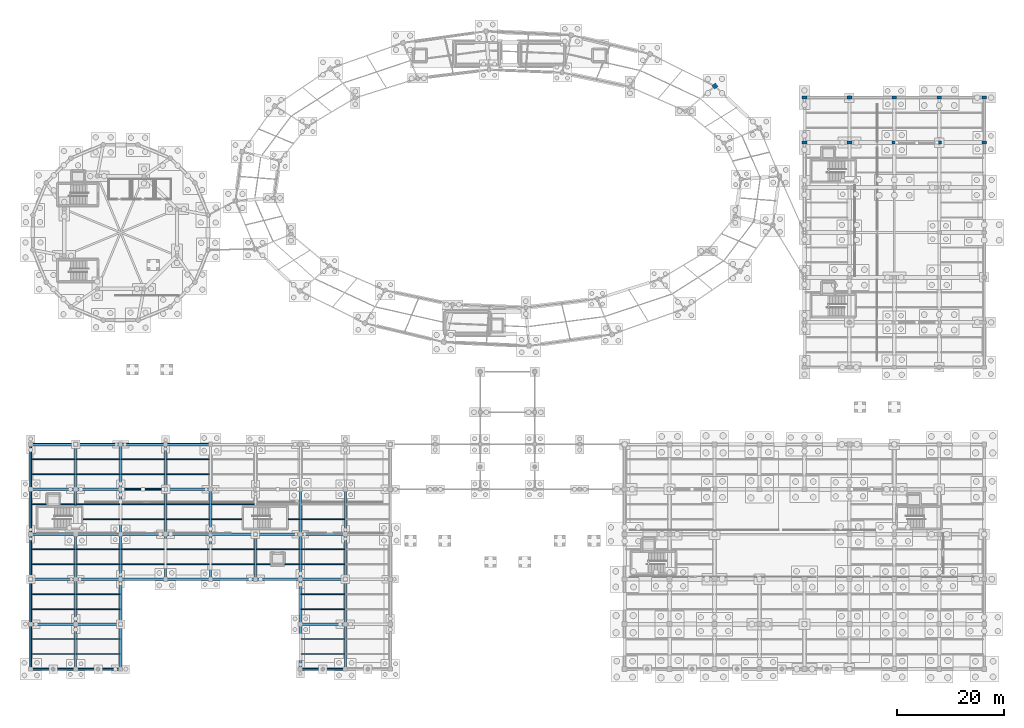
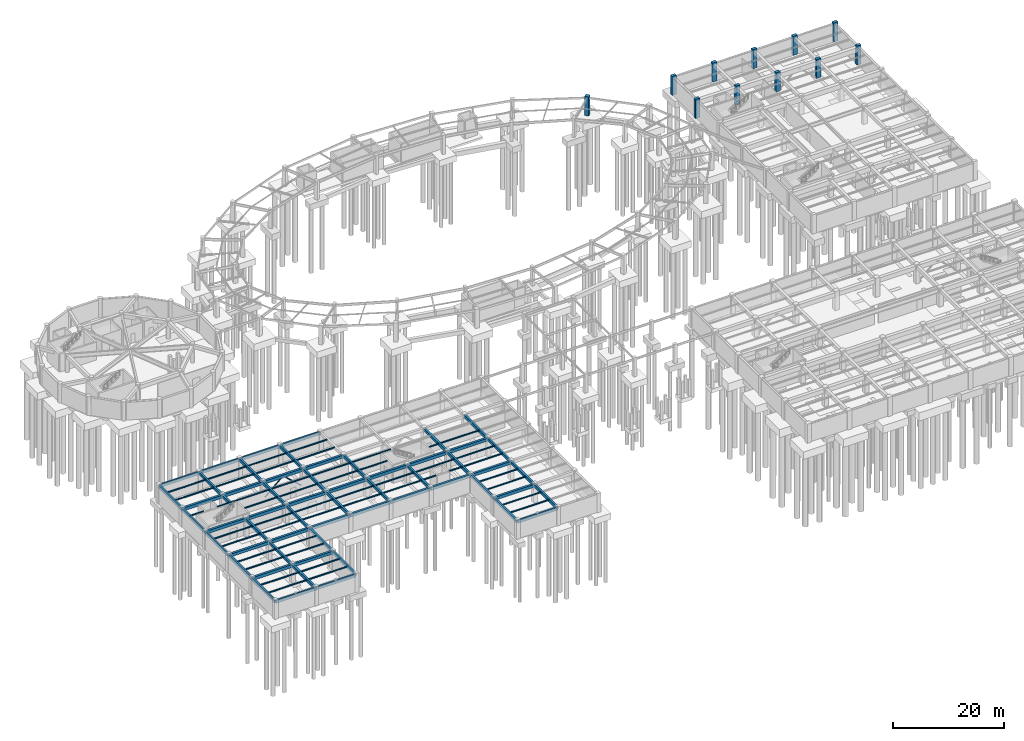
# One storey, part 15 of 38: 104 beams, 11 columns, 2 members.
"""IFC4 building model written with IfcOpenShell, lengths in metres."""

from ifc_helpers import new_model, si_unit, direction, frame, origin, origin_2d, place, context, subcontext, project, spatial, rectangle, hollow_circle, i_section, extrude, material, material_profile, profile_set, type_object, element, save


model = new_model("IFC4")

# Units and contexts
model_context = context("Model", 3, precision=1e-05, world=origin(), true_north=direction((0.0, 1.0)))
body_context = subcontext(model_context, "Body", "Model", "MODEL_VIEW")
ifc_project = project(units=[si_unit("LENGTHUNIT", "METRE"), si_unit("AREAUNIT", "SQUARE_METRE"), si_unit("VOLUMEUNIT", "CUBIC_METRE"), si_unit("PLANEANGLEUNIT", "RADIAN"), si_unit("MASSUNIT", "GRAM", prefix="KILO"), si_unit("THERMODYNAMICTEMPERATUREUNIT", "KELVIN"), si_unit("POWERUNIT", "WATT")], contexts=[model_context])

# Site, building, storey
site_placement = place(None, origin())
site = spatial("IfcSite", under=ifc_project, at=site_placement, CompositionType="ELEMENT")
building_placement = place(site_placement, origin())
building = spatial("IfcBuilding", under=site, at=building_placement, Name="Darbajah Civic Hall", CompositionType="ELEMENT")
storey_placement = place(building_placement, frame((0.0, 0.0, -4.199951171875)))
storey = spatial("IfcBuildingStorey", under=building, at=storey_placement, Name="B01", CompositionType="ELEMENT", Elevation=-4.199951171875)

# Columns
ifc_material_1 = material(Name="Concrete C50/60", Category="concrete")
ifc_material_profile_1 = material_profile(ifc_material_1, rectangle(XDim=0.800048828125, YDim=0.800048828125, at=origin_2d()), Name="RC COL 800x800")
ifc_profile_set_1 = profile_set([ifc_material_profile_1], Name="Concrete C50/60")
column_type_1 = type_object("IfcColumnType", Name="RC COL 800x800", PredefinedType="COLUMN", material=ifc_profile_set_1)
column_placement = place(storey_placement, frame((127.880615234375, 108.958740234375, 0.0), z_axis=(0.0, 0.0, 1.0), x_axis=(0.7604059656, 0.64944804833, 0.0)))
element("IfcColumn", 1, at=column_placement, inside=storey, type_object=column_type_1, Name="B01 column C-RC800", PredefinedType="COLUMN", context=body_context, shape_type="SweptSolid", body=[
    extrude(rectangle(XDim=0.800048828125, YDim=0.800048828125, at=origin_2d()), origin(), (0.0, 0.0, 1.0), 4.199951171875),
])
ifc_material_profile_2 = material_profile(ifc_material_1, rectangle(XDim=0.89990234375, YDim=0.60009765625, at=origin_2d()), Name="RC COL 900x600")
ifc_profile_set_2 = profile_set([ifc_material_profile_2], Name="Concrete C50/60")
column_type_2 = type_object("IfcColumnType", Name="RC COL 900x600", PredefinedType="COLUMN", material=ifc_profile_set_2)
for number, where, z_axis, x_axis, name in (
    (2, (144.60009765625, 98.39990234375, 0.0), (0.0, 0.0, 1.0), (1.0, 0.0, 0.0), "B01 column C-RC906"),
    (3, (144.60009765625, 106.800048828125, 0.0), (0.0, 0.0, 1.0), (1.0, 0.0, 0.0), "B01 column C-RC906"),
    (4, (153.0, 98.39990234375, 0.0), (0.0, 0.0, 1.0), (1.0, 0.0, 0.0), "B01 column C-RC906"),
    (5, (153.0, 106.800048828125, 0.0), (0.0, 0.0, 1.0), (1.0, 0.0, 0.0), "B01 column C-RC906"),
    (6, (161.39990234375, 98.39990234375, 0.0), (0.0, 0.0, 1.0), (1.0, 0.0, 0.0), "B01 column C-RC906"),
    (7, (161.39990234375, 106.800048828125, 0.0), (0.0, 0.0, 1.0), (1.0, 0.0, 0.0), "B01 column C-RC906"),
    (8, (169.800048828125, 98.39990234375, 0.0), (0.0, 0.0, 1.0), (1.0, 0.0, 0.0), "B01 column C-RC906"),
    (9, (169.800048828125, 106.800048828125, 0.0), (0.0, 0.0, 1.0), (1.0, 0.0, 0.0), "B01 column C-RC906"),
    (10, (178.199951171875, 98.39990234375, 0.0), (0.0, 0.0, 1.0), (1.0, 0.0, 0.0), "B01 column C-RC906"),
    (11, (178.199951171875, 106.800048828125, 0.0), (0.0, 0.0, 1.0), (1.0, 0.0, 0.0), "B01 column C-RC906"),
):
    element("IfcColumn", number, at=place(storey_placement, frame(where, z_axis=z_axis, x_axis=x_axis)), inside=storey, type_object=column_type_2, Name=name, PredefinedType="COLUMN", context=body_context, shape_type="SweptSolid", body=[
        extrude(rectangle(XDim=0.89990234375, YDim=0.60009765625, at=origin_2d()), origin(), (0.0, 0.0, 1.0), 4.199951171875),
    ])

# Members
ifc_material_2 = material(Name="Steel S355JR", Category="steel")
ifc_material_profile_3 = material_profile(ifc_material_2, hollow_circle(Radius=0.109619140625, WallThickness=0.0087890625, at=origin_2d()), Name="CHS 219.1x8.8")
ifc_profile_set_3 = profile_set([ifc_material_profile_3], Name="Steel S355JR")
member_type = type_object("IfcMemberType", Name="CHS 219.1x8.8", PredefinedType="BRACE", material=ifc_profile_set_3)
for number, where, z_axis, x_axis, name in (
    (12, (17.25, 33.60009765625, 0.199951171875), (0.742277082557, 0.0, 0.670093077648), (0.0, 1.0, 0.0), "B01 lateral chevron brace BR-B01-3-L"),
    (13, (24.75, 33.60009765625, 0.199951171875), (-0.742277082557, 0.0, 0.670093077648), (0.0, -1.0, 0.0), "B01 lateral chevron brace BR-B01-3-R"),
):
    element("IfcMember", number, at=place(storey_placement, frame(where, z_axis=z_axis, x_axis=x_axis)), inside=storey, type_object=member_type, Name=name, PredefinedType="BRACE", context=body_context, shape_type="SweptSolid", body=[
        extrude(hollow_circle(Radius=0.109619140625, WallThickness=0.0087890625, at=origin_2d()), origin(), (0.0, 0.0, 1.0), 4.85009765625),
    ])

# Beams
ifc_material_3 = material(Name="Concrete C45/55", Category="concrete")
ifc_material_profile_4 = material_profile(ifc_material_3, rectangle(XDim=0.39990234375, YDim=0.60009765625, at=origin_2d()), Name="RC BEAM 400x600")
ifc_profile_set_4 = profile_set([ifc_material_profile_4], Name="Concrete C45/55")
beam_type_1 = type_object("IfcBeamType", Name="RC BEAM 400x600", PredefinedType="BEAM", material=ifc_profile_set_4)
for number, where, z_axis, x_axis, name in (
    (14, (8.39990234375, 0.080078125, 3.639892578125), (0.0, 1.0, 0.0), (-1.0, 0.0, 0.0), "B01 beam BM-4060"),
    (15, (8.39990234375, 8.47998046875, 3.639892578125), (0.0, 1.0, 0.0), (-1.0, 0.0, 0.0), "B01 beam BM-4060"),
):
    element("IfcBeam", number, at=place(storey_placement, frame(where, z_axis=z_axis, x_axis=x_axis)), inside=storey, type_object=beam_type_1, Name=name, PredefinedType="BEAM", context=body_context, shape_type="SweptSolid", body=[
        extrude(rectangle(XDim=0.39990234375, YDim=0.60009765625, at=origin_2d()), origin(), (0.0, 0.0, 1.0), 8.239990234375),
    ])
beam_1_placement = place(storey_placement, frame((8.39990234375, 16.8798828125, 3.639892578125), z_axis=(0.0, 1.0, 0.0), x_axis=(-1.0, 0.0, 0.0)))
element("IfcBeam", 16, at=beam_1_placement, inside=storey, type_object=beam_type_1, Name="B01 beam BM-4060", PredefinedType="BEAM", context=body_context, shape_type="SweptSolid", body=[
    extrude(rectangle(XDim=0.39990234375, YDim=0.60009765625, at=origin_2d()), origin(), (0.0, 0.0, 1.0), 8.240234375),
])
beam_2_placement = place(storey_placement, frame((8.39990234375, 30.5400390625, 3.639892578125), z_axis=(0.0, 1.0, 0.0), x_axis=(-1.0, 0.0, 0.0)))
element("IfcBeam", 17, at=beam_2_placement, inside=storey, type_object=beam_type_1, Name="B01 beam BM-4060", PredefinedType="BEAM", context=body_context, shape_type="SweptSolid", body=[
    extrude(rectangle(XDim=0.39990234375, YDim=0.60009765625, at=origin_2d()), origin(), (0.0, 0.0, 1.0), 2.97998046875),
])
for number, where, z_axis, x_axis, name in (
    (18, (8.39990234375, 33.679931640625, 3.639892578125), (0.0, 1.0, 0.0), (-1.0, 0.0, 0.0), "B01 beam BM-4060"),
    (19, (16.800048828125, 0.080078125, 3.639892578125), (0.0, 1.0, 0.0), (-1.0, 0.0, 0.0), "B01 beam BM-4060"),
    (20, (16.800048828125, 8.47998046875, 3.639892578125), (0.0, 1.0, 0.0), (-1.0, 0.0, 0.0), "B01 beam BM-4060"),
):
    element("IfcBeam", number, at=place(storey_placement, frame(where, z_axis=z_axis, x_axis=x_axis)), inside=storey, type_object=beam_type_1, Name=name, PredefinedType="BEAM", context=body_context, shape_type="SweptSolid", body=[
        extrude(rectangle(XDim=0.39990234375, YDim=0.60009765625, at=origin_2d()), origin(), (0.0, 0.0, 1.0), 8.239990234375),
    ])
beam_3_placement = place(storey_placement, frame((16.800048828125, 16.8798828125, 3.639892578125), z_axis=(0.0, 1.0, 0.0), x_axis=(-1.0, 0.0, 0.0)))
element("IfcBeam", 21, at=beam_3_placement, inside=storey, type_object=beam_type_1, Name="B01 beam BM-4060", PredefinedType="BEAM", context=body_context, shape_type="SweptSolid", body=[
    extrude(rectangle(XDim=0.39990234375, YDim=0.60009765625, at=origin_2d()), origin(), (0.0, 0.0, 1.0), 8.240234375),
])
for number, where, z_axis, x_axis, name in (
    (22, (16.800048828125, 25.280029296875, 3.639892578125), (0.0, 1.0, 0.0), (-1.0, 0.0, 0.0), "B01 beam BM-4060"),
    (23, (16.800048828125, 33.679931640625, 3.639892578125), (0.0, 1.0, 0.0), (-1.0, 0.0, 0.0), "B01 beam BM-4060"),
):
    element("IfcBeam", number, at=place(storey_placement, frame(where, z_axis=z_axis, x_axis=x_axis)), inside=storey, type_object=beam_type_1, Name=name, PredefinedType="BEAM", context=body_context, shape_type="SweptSolid", body=[
        extrude(rectangle(XDim=0.39990234375, YDim=0.60009765625, at=origin_2d()), origin(), (0.0, 0.0, 1.0), 8.239990234375),
    ])
beam_4_placement = place(storey_placement, frame((25.199951171875, 16.8798828125, 3.639892578125), z_axis=(0.0, 1.0, 0.0), x_axis=(-1.0, 0.0, 0.0)))
element("IfcBeam", 24, at=beam_4_placement, inside=storey, type_object=beam_type_1, Name="B01 beam BM-4060", PredefinedType="BEAM", context=body_context, shape_type="SweptSolid", body=[
    extrude(rectangle(XDim=0.39990234375, YDim=0.60009765625, at=origin_2d()), origin(), (0.0, 0.0, 1.0), 8.240234375),
])
for number, where, z_axis, x_axis, name in (
    (25, (25.199951171875, 25.280029296875, 3.639892578125), (0.0, 1.0, 0.0), (-1.0, 0.0, 0.0), "B01 beam BM-4060"),
    (26, (25.199951171875, 33.679931640625, 3.639892578125), (0.0, 1.0, 0.0), (-1.0, 0.0, 0.0), "B01 beam BM-4060"),
):
    element("IfcBeam", number, at=place(storey_placement, frame(where, z_axis=z_axis, x_axis=x_axis)), inside=storey, type_object=beam_type_1, Name=name, PredefinedType="BEAM", context=body_context, shape_type="SweptSolid", body=[
        extrude(rectangle(XDim=0.39990234375, YDim=0.60009765625, at=origin_2d()), origin(), (0.0, 0.0, 1.0), 8.239990234375),
    ])
beam_5_placement = place(storey_placement, frame((33.60009765625, 16.8798828125, 3.639892578125), z_axis=(0.0, 1.0, 0.0), x_axis=(-1.0, 0.0, 0.0)))
element("IfcBeam", 27, at=beam_5_placement, inside=storey, type_object=beam_type_1, Name="B01 beam BM-4060", PredefinedType="BEAM", context=body_context, shape_type="SweptSolid", body=[
    extrude(rectangle(XDim=0.39990234375, YDim=0.60009765625, at=origin_2d()), origin(), (0.0, 0.0, 1.0), 8.240234375),
])
beam_6_placement = place(storey_placement, frame((33.60009765625, 25.280029296875, 3.639892578125), z_axis=(0.0, 1.0, 0.0), x_axis=(-1.0, 0.0, 0.0)))
element("IfcBeam", 28, at=beam_6_placement, inside=storey, type_object=beam_type_1, Name="B01 beam BM-4060", PredefinedType="BEAM", context=body_context, shape_type="SweptSolid", body=[
    extrude(rectangle(XDim=0.39990234375, YDim=0.60009765625, at=origin_2d()), origin(), (0.0, 0.0, 1.0), 8.239990234375),
])
beam_7_placement = place(storey_placement, frame((42.0, 16.8798828125, 3.639892578125), z_axis=(0.0, 1.0, 0.0), x_axis=(-1.0, 0.0, 0.0)))
element("IfcBeam", 29, at=beam_7_placement, inside=storey, type_object=beam_type_1, Name="B01 beam BM-4060", PredefinedType="BEAM", context=body_context, shape_type="SweptSolid", body=[
    extrude(rectangle(XDim=0.39990234375, YDim=0.60009765625, at=origin_2d()), origin(), (0.0, 0.0, 1.0), 8.240234375),
])
for number, where, z_axis, x_axis, name in (
    (30, (50.39990234375, 0.080078125, 3.639892578125), (0.0, 1.0, 0.0), (-1.0, 0.0, 0.0), "B01 beam BM-4060"),
    (31, (50.39990234375, 8.47998046875, 3.639892578125), (0.0, 1.0, 0.0), (-1.0, 0.0, 0.0), "B01 beam BM-4060"),
):
    element("IfcBeam", number, at=place(storey_placement, frame(where, z_axis=z_axis, x_axis=x_axis)), inside=storey, type_object=beam_type_1, Name=name, PredefinedType="BEAM", context=body_context, shape_type="SweptSolid", body=[
        extrude(rectangle(XDim=0.39990234375, YDim=0.60009765625, at=origin_2d()), origin(), (0.0, 0.0, 1.0), 8.239990234375),
    ])
beam_8_placement = place(storey_placement, frame((50.39990234375, 16.8798828125, 3.639892578125), z_axis=(0.0, 1.0, 0.0), x_axis=(-1.0, 0.0, 0.0)))
element("IfcBeam", 32, at=beam_8_placement, inside=storey, type_object=beam_type_1, Name="B01 beam BM-4060", PredefinedType="BEAM", context=body_context, shape_type="SweptSolid", body=[
    extrude(rectangle(XDim=0.39990234375, YDim=0.60009765625, at=origin_2d()), origin(), (0.0, 0.0, 1.0), 8.240234375),
])
for number, where, z_axis, x_axis, name in (
    (33, (50.39990234375, 25.280029296875, 3.639892578125), (0.0, 1.0, 0.0), (-1.0, 0.0, 0.0), "B01 beam BM-4060"),
    (34, (58.800048828125, 0.080078125, 3.639892578125), (0.0, 1.0, 0.0), (-1.0, 0.0, 0.0), "B01 beam BM-4060"),
    (35, (58.800048828125, 8.47998046875, 3.639892578125), (0.0, 1.0, 0.0), (-1.0, 0.0, 0.0), "B01 beam BM-4060"),
):
    element("IfcBeam", number, at=place(storey_placement, frame(where, z_axis=z_axis, x_axis=x_axis)), inside=storey, type_object=beam_type_1, Name=name, PredefinedType="BEAM", context=body_context, shape_type="SweptSolid", body=[
        extrude(rectangle(XDim=0.39990234375, YDim=0.60009765625, at=origin_2d()), origin(), (0.0, 0.0, 1.0), 8.239990234375),
    ])
beam_9_placement = place(storey_placement, frame((58.800048828125, 16.8798828125, 3.639892578125), z_axis=(0.0, 1.0, 0.0), x_axis=(-1.0, 0.0, 0.0)))
element("IfcBeam", 36, at=beam_9_placement, inside=storey, type_object=beam_type_1, Name="B01 beam BM-4060", PredefinedType="BEAM", context=body_context, shape_type="SweptSolid", body=[
    extrude(rectangle(XDim=0.39990234375, YDim=0.60009765625, at=origin_2d()), origin(), (0.0, 0.0, 1.0), 8.240234375),
])
beam_10_placement = place(storey_placement, frame((58.800048828125, 25.280029296875, 3.639892578125), z_axis=(0.0, 1.0, 0.0), x_axis=(-1.0, 0.0, 0.0)))
element("IfcBeam", 37, at=beam_10_placement, inside=storey, type_object=beam_type_1, Name="B01 beam BM-4060", PredefinedType="BEAM", context=body_context, shape_type="SweptSolid", body=[
    extrude(rectangle(XDim=0.39990234375, YDim=0.60009765625, at=origin_2d()), origin(), (0.0, 0.0, 1.0), 8.239990234375),
])
ifc_material_profile_5 = material_profile(ifc_material_3, rectangle(XDim=0.449951171875, YDim=0.64990234375, at=origin_2d()), Name="RC BEAM 450x650")
ifc_profile_set_5 = profile_set([ifc_material_profile_5], Name="Concrete C45/55")
beam_type_2 = type_object("IfcBeamType", Name="RC BEAM 450x650", PredefinedType="BEAM", material=ifc_profile_set_5)
for number, where, z_axis, x_axis, name in (
    (38, (0.080078125, 8.39990234375, 3.614990234375), (1.0, 0.0, 0.0), (0.0, 1.0, 0.0), "B01 beam BM-4565"),
    (39, (8.47998046875, 8.39990234375, 3.614990234375), (1.0, 0.0, 0.0), (0.0, 1.0, 0.0), "B01 beam BM-4565"),
    (40, (50.47998046875, 8.39990234375, 3.614990234375), (1.0, 0.0, 0.0), (0.0, 1.0, 0.0), "B01 beam BM-4565"),
    (41, (0.080078125, 16.800048828125, 3.614990234375), (1.0, 0.0, 0.0), (0.0, 1.0, 0.0), "B01 beam BM-4565"),
    (42, (8.47998046875, 16.800048828125, 3.614990234375), (1.0, 0.0, 0.0), (0.0, 1.0, 0.0), "B01 beam BM-4565"),
):
    element("IfcBeam", number, at=place(storey_placement, frame(where, z_axis=z_axis, x_axis=x_axis)), inside=storey, type_object=beam_type_2, Name=name, PredefinedType="BEAM", context=body_context, shape_type="SweptSolid", body=[
        extrude(rectangle(XDim=0.449951171875, YDim=0.64990234375, at=origin_2d()), origin(), (0.0, 0.0, 1.0), 8.239990234375),
    ])
beam_11_placement = place(storey_placement, frame((16.8798828125, 16.800048828125, 3.614990234375), z_axis=(1.0, 0.0, 0.0), x_axis=(0.0, 1.0, 0.0)))
element("IfcBeam", 43, at=beam_11_placement, inside=storey, type_object=beam_type_2, Name="B01 beam BM-4565", PredefinedType="BEAM", context=body_context, shape_type="SweptSolid", body=[
    extrude(rectangle(XDim=0.449951171875, YDim=0.64990234375, at=origin_2d()), origin(), (0.0, 0.0, 1.0), 8.240234375),
])
for number, where, z_axis, x_axis, name in (
    (44, (25.280029296875, 16.800048828125, 3.614990234375), (1.0, 0.0, 0.0), (0.0, 1.0, 0.0), "B01 beam BM-4565"),
    (45, (33.679931640625, 16.800048828125, 3.614990234375), (1.0, 0.0, 0.0), (0.0, 1.0, 0.0), "B01 beam BM-4565"),
    (46, (42.080078125, 16.800048828125, 3.614990234375), (1.0, 0.0, 0.0), (0.0, 1.0, 0.0), "B01 beam BM-4565"),
    (47, (50.47998046875, 16.800048828125, 3.614990234375), (1.0, 0.0, 0.0), (0.0, 1.0, 0.0), "B01 beam BM-4565"),
    (48, (0.080078125, 25.199951171875, 3.614990234375), (1.0, 0.0, 0.0), (0.0, 1.0, 0.0), "B01 beam BM-4565"),
    (49, (8.47998046875, 25.199951171875, 3.614990234375), (1.0, 0.0, 0.0), (0.0, 1.0, 0.0), "B01 beam BM-4565"),
):
    element("IfcBeam", number, at=place(storey_placement, frame(where, z_axis=z_axis, x_axis=x_axis)), inside=storey, type_object=beam_type_2, Name=name, PredefinedType="BEAM", context=body_context, shape_type="SweptSolid", body=[
        extrude(rectangle(XDim=0.449951171875, YDim=0.64990234375, at=origin_2d()), origin(), (0.0, 0.0, 1.0), 8.239990234375),
    ])
beam_12_placement = place(storey_placement, frame((16.8798828125, 25.199951171875, 3.614990234375), z_axis=(1.0, 0.0, 0.0), x_axis=(0.0, 1.0, 0.0)))
element("IfcBeam", 50, at=beam_12_placement, inside=storey, type_object=beam_type_2, Name="B01 beam BM-4565", PredefinedType="BEAM", context=body_context, shape_type="SweptSolid", body=[
    extrude(rectangle(XDim=0.449951171875, YDim=0.64990234375, at=origin_2d()), origin(), (0.0, 0.0, 1.0), 8.240234375),
])
for number, where, z_axis, x_axis, name in (
    (51, (25.280029296875, 25.199951171875, 3.614990234375), (1.0, 0.0, 0.0), (0.0, 1.0, 0.0), "B01 beam BM-4565"),
    (52, (33.679931640625, 25.199951171875, 3.614990234375), (1.0, 0.0, 0.0), (0.0, 1.0, 0.0), "B01 beam BM-4565"),
    (53, (42.080078125, 25.199951171875, 3.614990234375), (1.0, 0.0, 0.0), (0.0, 1.0, 0.0), "B01 beam BM-4565"),
    (54, (50.47998046875, 25.199951171875, 3.614990234375), (1.0, 0.0, 0.0), (0.0, 1.0, 0.0), "B01 beam BM-4565"),
    (55, (0.080078125, 33.60009765625, 3.614990234375), (1.0, 0.0, 0.0), (0.0, 1.0, 0.0), "B01 beam BM-4565"),
    (56, (8.47998046875, 33.60009765625, 3.614990234375), (1.0, 0.0, 0.0), (0.0, 1.0, 0.0), "B01 beam BM-4565"),
):
    element("IfcBeam", number, at=place(storey_placement, frame(where, z_axis=z_axis, x_axis=x_axis)), inside=storey, type_object=beam_type_2, Name=name, PredefinedType="BEAM", context=body_context, shape_type="SweptSolid", body=[
        extrude(rectangle(XDim=0.449951171875, YDim=0.64990234375, at=origin_2d()), origin(), (0.0, 0.0, 1.0), 8.239990234375),
    ])
beam_13_placement = place(storey_placement, frame((16.8798828125, 33.60009765625, 3.614990234375), z_axis=(1.0, 0.0, 0.0), x_axis=(0.0, 1.0, 0.0)))
element("IfcBeam", 57, at=beam_13_placement, inside=storey, type_object=beam_type_2, Name="B01 beam BM-4565", PredefinedType="BEAM", context=body_context, shape_type="SweptSolid", body=[
    extrude(rectangle(XDim=0.449951171875, YDim=0.64990234375, at=origin_2d()), origin(), (0.0, 0.0, 1.0), 8.240234375),
])
beam_14_placement = place(storey_placement, frame((25.280029296875, 33.60009765625, 3.614990234375), z_axis=(1.0, 0.0, 0.0), x_axis=(0.0, 1.0, 0.0)))
element("IfcBeam", 58, at=beam_14_placement, inside=storey, type_object=beam_type_2, Name="B01 beam BM-4565", PredefinedType="BEAM", context=body_context, shape_type="SweptSolid", body=[
    extrude(rectangle(XDim=0.449951171875, YDim=0.64990234375, at=origin_2d()), origin(), (0.0, 0.0, 1.0), 8.239990234375),
])
ifc_material_profile_6 = material_profile(ifc_material_3, rectangle(XDim=0.35009765625, YDim=0.64990234375, at=origin_2d()), Name="RC SPANDREL 350x650")
ifc_profile_set_6 = profile_set([ifc_material_profile_6], Name="Concrete C45/55")
beam_type_3 = type_object("IfcBeamType", Name="RC SPANDREL 350x650", PredefinedType="SPANDREL", material=ifc_profile_set_6)
for number, where, z_axis, x_axis, name in (
    (59, (0.080078125, 0.0, 3.614990234375), (1.0, 0.0, 0.0), (0.0, 1.0, 0.0), "B01 beam SP-3565"),
    (60, (8.47998046875, 0.0, 3.614990234375), (1.0, 0.0, 0.0), (0.0, 1.0, 0.0), "B01 beam SP-3565"),
    (61, (50.47998046875, 0.0, 3.614990234375), (1.0, 0.0, 0.0), (0.0, 1.0, 0.0), "B01 beam SP-3565"),
    (62, (0.080078125, 42.0, 3.614990234375), (1.0, 0.0, 0.0), (0.0, 1.0, 0.0), "B01 beam SP-3565"),
    (63, (8.47998046875, 42.0, 3.614990234375), (1.0, 0.0, 0.0), (0.0, 1.0, 0.0), "B01 beam SP-3565"),
):
    element("IfcBeam", number, at=place(storey_placement, frame(where, z_axis=z_axis, x_axis=x_axis)), inside=storey, type_object=beam_type_3, Name=name, PredefinedType="SPANDREL", context=body_context, shape_type="SweptSolid", body=[
        extrude(rectangle(XDim=0.35009765625, YDim=0.64990234375, at=origin_2d()), origin(), (0.0, 0.0, 1.0), 8.239990234375),
    ])
beam_15_placement = place(storey_placement, frame((16.8798828125, 42.0, 3.614990234375), z_axis=(1.0, 0.0, 0.0), x_axis=(0.0, 1.0, 0.0)))
element("IfcBeam", 64, at=beam_15_placement, inside=storey, type_object=beam_type_3, Name="B01 beam SP-3565", PredefinedType="SPANDREL", context=body_context, shape_type="SweptSolid", body=[
    extrude(rectangle(XDim=0.35009765625, YDim=0.64990234375, at=origin_2d()), origin(), (0.0, 0.0, 1.0), 8.240234375),
])
for number, where, z_axis, x_axis, name in (
    (65, (25.280029296875, 42.0, 3.614990234375), (1.0, 0.0, 0.0), (0.0, 1.0, 0.0), "B01 beam SP-3565"),
    (66, (0.0, 0.080078125, 3.614990234375), (0.0, 1.0, 0.0), (-1.0, 0.0, 0.0), "B01 beam SP-3565"),
    (67, (0.0, 8.47998046875, 3.614990234375), (0.0, 1.0, 0.0), (-1.0, 0.0, 0.0), "B01 beam SP-3565"),
):
    element("IfcBeam", number, at=place(storey_placement, frame(where, z_axis=z_axis, x_axis=x_axis)), inside=storey, type_object=beam_type_3, Name=name, PredefinedType="SPANDREL", context=body_context, shape_type="SweptSolid", body=[
        extrude(rectangle(XDim=0.35009765625, YDim=0.64990234375, at=origin_2d()), origin(), (0.0, 0.0, 1.0), 8.239990234375),
    ])
beam_16_placement = place(storey_placement, frame((0.0, 16.8798828125, 3.614990234375), z_axis=(0.0, 1.0, 0.0), x_axis=(-1.0, 0.0, 0.0)))
element("IfcBeam", 68, at=beam_16_placement, inside=storey, type_object=beam_type_3, Name="B01 beam SP-3565", PredefinedType="SPANDREL", context=body_context, shape_type="SweptSolid", body=[
    extrude(rectangle(XDim=0.35009765625, YDim=0.64990234375, at=origin_2d()), origin(), (0.0, 0.0, 1.0), 8.240234375),
])
for number, where, z_axis, x_axis, name in (
    (69, (0.0, 25.280029296875, 3.614990234375), (0.0, 1.0, 0.0), (-1.0, 0.0, 0.0), "B01 beam SP-3565"),
    (70, (0.0, 33.679931640625, 3.614990234375), (0.0, 1.0, 0.0), (-1.0, 0.0, 0.0), "B01 beam SP-3565"),
):
    element("IfcBeam", number, at=place(storey_placement, frame(where, z_axis=z_axis, x_axis=x_axis)), inside=storey, type_object=beam_type_3, Name=name, PredefinedType="SPANDREL", context=body_context, shape_type="SweptSolid", body=[
        extrude(rectangle(XDim=0.35009765625, YDim=0.64990234375, at=origin_2d()), origin(), (0.0, 0.0, 1.0), 8.239990234375),
    ])
ifc_material_profile_7 = material_profile(ifc_material_2, i_section(OverallWidth=0.1337890625, OverallDepth=0.206787109375, WebThickness=0.00634765625, FlangeThickness=0.009521484375, FilletRadius=0.007568359375, at=origin_2d()), Name="UB 203x133x30")
ifc_profile_set_7 = profile_set([ifc_material_profile_7], Name="Steel S355JR")
beam_type_4 = type_object("IfcBeamType", Name="UB 203x133x30", PredefinedType="JOIST", material=ifc_profile_set_7)
for number, where, z_axis, x_axis, name in (
    (71, (0.175048828125, 2.800048828125, 3.836669921875), (1.0, 0.0, 0.0), (0.0, 1.0, 0.0), "B01 beam SJ-203"),
    (72, (0.175048828125, 5.60009765625, 3.836669921875), (1.0, 0.0, 0.0), (0.0, 1.0, 0.0), "B01 beam SJ-203"),
    (73, (0.175048828125, 11.199951171875, 3.836669921875), (1.0, 0.0, 0.0), (0.0, 1.0, 0.0), "B01 beam SJ-203"),
    (74, (0.175048828125, 14.0, 3.836669921875), (1.0, 0.0, 0.0), (0.0, 1.0, 0.0), "B01 beam SJ-203"),
    (75, (0.175048828125, 19.60009765625, 3.836669921875), (1.0, 0.0, 0.0), (0.0, 1.0, 0.0), "B01 beam SJ-203"),
    (76, (0.175048828125, 22.39990234375, 3.836669921875), (1.0, 0.0, 0.0), (0.0, 1.0, 0.0), "B01 beam SJ-203"),
):
    element("IfcBeam", number, at=place(storey_placement, frame(where, z_axis=z_axis, x_axis=x_axis)), inside=storey, type_object=beam_type_4, Name=name, PredefinedType="JOIST", context=body_context, shape_type="SweptSolid", body=[
        extrude(i_section(OverallWidth=0.1337890625, OverallDepth=0.206787109375, WebThickness=0.00634765625, FlangeThickness=0.009521484375, FilletRadius=0.007568359375, at=origin_2d()), origin(), (0.0, 0.0, 1.0), 8.02490234375),
    ])
beam_17_placement = place(storey_placement, frame((0.175048828125, 30.800048828125, 3.836669921875), z_axis=(1.0, 0.0, 0.0), x_axis=(0.0, 1.0, 0.0)))
element("IfcBeam", 77, at=beam_17_placement, inside=storey, type_object=beam_type_4, Name="B01 beam SJ-203", PredefinedType="JOIST", context=body_context, shape_type="SweptSolid", body=[
    extrude(i_section(OverallWidth=0.1337890625, OverallDepth=0.206787109375, WebThickness=0.00634765625, FlangeThickness=0.009521484375, FilletRadius=0.007568359375, at=origin_2d()), origin(), (0.0, 0.0, 1.0), 2.704833984375),
])
beam_18_placement = place(storey_placement, frame((5.6201171875, 30.800048828125, 3.836669921875), z_axis=(1.0, 0.0, 0.0), x_axis=(0.0, 1.0, 0.0)))
element("IfcBeam", 78, at=beam_18_placement, inside=storey, type_object=beam_type_4, Name="B01 beam SJ-203", PredefinedType="JOIST", context=body_context, shape_type="SweptSolid", body=[
    extrude(i_section(OverallWidth=0.1337890625, OverallDepth=0.206787109375, WebThickness=0.00634765625, FlangeThickness=0.009521484375, FilletRadius=0.007568359375, at=origin_2d()), origin(), (0.0, 0.0, 1.0), 2.579833984375),
])
for number, where, z_axis, x_axis, name in (
    (79, (0.175048828125, 36.39990234375, 3.836669921875), (1.0, 0.0, 0.0), (0.0, 1.0, 0.0), "B01 beam SJ-203"),
    (80, (0.175048828125, 39.199951171875, 3.836669921875), (1.0, 0.0, 0.0), (0.0, 1.0, 0.0), "B01 beam SJ-203"),
):
    element("IfcBeam", number, at=place(storey_placement, frame(where, z_axis=z_axis, x_axis=x_axis)), inside=storey, type_object=beam_type_4, Name=name, PredefinedType="JOIST", context=body_context, shape_type="SweptSolid", body=[
        extrude(i_section(OverallWidth=0.1337890625, OverallDepth=0.206787109375, WebThickness=0.00634765625, FlangeThickness=0.009521484375, FilletRadius=0.007568359375, at=origin_2d()), origin(), (0.0, 0.0, 1.0), 8.02490234375),
    ])
for number, where, z_axis, x_axis, name in (
    (81, (8.60009765625, 2.800048828125, 3.836669921875), (1.0, 0.0, 0.0), (0.0, 1.0, 0.0), "B01 beam SJ-203"),
    (82, (8.60009765625, 5.60009765625, 3.836669921875), (1.0, 0.0, 0.0), (0.0, 1.0, 0.0), "B01 beam SJ-203"),
    (83, (8.60009765625, 11.199951171875, 3.836669921875), (1.0, 0.0, 0.0), (0.0, 1.0, 0.0), "B01 beam SJ-203"),
    (84, (8.60009765625, 14.0, 3.836669921875), (1.0, 0.0, 0.0), (0.0, 1.0, 0.0), "B01 beam SJ-203"),
    (85, (8.60009765625, 19.60009765625, 3.836669921875), (1.0, 0.0, 0.0), (0.0, 1.0, 0.0), "B01 beam SJ-203"),
    (86, (8.60009765625, 22.39990234375, 3.836669921875), (1.0, 0.0, 0.0), (0.0, 1.0, 0.0), "B01 beam SJ-203"),
):
    element("IfcBeam", number, at=place(storey_placement, frame(where, z_axis=z_axis, x_axis=x_axis)), inside=storey, type_object=beam_type_4, Name=name, PredefinedType="JOIST", context=body_context, shape_type="SweptSolid", body=[
        extrude(i_section(OverallWidth=0.1337890625, OverallDepth=0.206787109375, WebThickness=0.00634765625, FlangeThickness=0.009521484375, FilletRadius=0.007568359375, at=origin_2d()), origin(), (0.0, 0.0, 1.0), 8.0),
    ])
beam_19_placement = place(storey_placement, frame((9.739990234375, 28.0, 3.836669921875), z_axis=(1.0, 0.0, 0.0), x_axis=(0.0, 1.0, 0.0)))
element("IfcBeam", 87, at=beam_19_placement, inside=storey, type_object=beam_type_4, Name="B01 beam SJ-203", PredefinedType="JOIST", context=body_context, shape_type="SweptSolid", body=[
    extrude(i_section(OverallWidth=0.1337890625, OverallDepth=0.206787109375, WebThickness=0.00634765625, FlangeThickness=0.009521484375, FilletRadius=0.007568359375, at=origin_2d()), origin(), (0.0, 0.0, 1.0), 6.860107421875),
])
for number, where, z_axis, x_axis, name in (
    (88, (8.60009765625, 30.800048828125, 3.836669921875), (1.0, 0.0, 0.0), (0.0, 1.0, 0.0), "B01 beam SJ-203"),
    (89, (8.60009765625, 36.39990234375, 3.836669921875), (1.0, 0.0, 0.0), (0.0, 1.0, 0.0), "B01 beam SJ-203"),
    (90, (8.60009765625, 39.199951171875, 3.836669921875), (1.0, 0.0, 0.0), (0.0, 1.0, 0.0), "B01 beam SJ-203"),
    (91, (17.0, 19.60009765625, 3.836669921875), (1.0, 0.0, 0.0), (0.0, 1.0, 0.0), "B01 beam SJ-203"),
    (92, (17.0, 22.39990234375, 3.836669921875), (1.0, 0.0, 0.0), (0.0, 1.0, 0.0), "B01 beam SJ-203"),
    (93, (17.0, 28.0, 3.836669921875), (1.0, 0.0, 0.0), (0.0, 1.0, 0.0), "B01 beam SJ-203"),
    (94, (17.0, 30.800048828125, 3.836669921875), (1.0, 0.0, 0.0), (0.0, 1.0, 0.0), "B01 beam SJ-203"),
    (95, (17.0, 36.39990234375, 3.836669921875), (1.0, 0.0, 0.0), (0.0, 1.0, 0.0), "B01 beam SJ-203"),
    (96, (17.0, 39.199951171875, 3.836669921875), (1.0, 0.0, 0.0), (0.0, 1.0, 0.0), "B01 beam SJ-203"),
    (97, (25.39990234375, 19.60009765625, 3.836669921875), (1.0, 0.0, 0.0), (0.0, 1.0, 0.0), "B01 beam SJ-203"),
    (98, (25.39990234375, 22.39990234375, 3.836669921875), (1.0, 0.0, 0.0), (0.0, 1.0, 0.0), "B01 beam SJ-203"),
    (99, (25.39990234375, 28.0, 3.836669921875), (1.0, 0.0, 0.0), (0.0, 1.0, 0.0), "B01 beam SJ-203"),
    (100, (25.39990234375, 30.800048828125, 3.836669921875), (1.0, 0.0, 0.0), (0.0, 1.0, 0.0), "B01 beam SJ-203"),
    (101, (25.39990234375, 36.39990234375, 3.836669921875), (1.0, 0.0, 0.0), (0.0, 1.0, 0.0), "B01 beam SJ-203"),
    (102, (25.39990234375, 39.199951171875, 3.836669921875), (1.0, 0.0, 0.0), (0.0, 1.0, 0.0), "B01 beam SJ-203"),
    (103, (33.800048828125, 19.60009765625, 3.836669921875), (1.0, 0.0, 0.0), (0.0, 1.0, 0.0), "B01 beam SJ-203"),
    (104, (33.800048828125, 22.39990234375, 3.836669921875), (1.0, 0.0, 0.0), (0.0, 1.0, 0.0), "B01 beam SJ-203"),
):
    element("IfcBeam", number, at=place(storey_placement, frame(where, z_axis=z_axis, x_axis=x_axis)), inside=storey, type_object=beam_type_4, Name=name, PredefinedType="JOIST", context=body_context, shape_type="SweptSolid", body=[
        extrude(i_section(OverallWidth=0.1337890625, OverallDepth=0.206787109375, WebThickness=0.00634765625, FlangeThickness=0.009521484375, FilletRadius=0.007568359375, at=origin_2d()), origin(), (0.0, 0.0, 1.0), 8.0),
    ])
beam_20_placement = place(storey_placement, frame((33.800048828125, 28.0, 3.836669921875), z_axis=(1.0, 0.0, 0.0), x_axis=(0.0, 1.0, 0.0)))
element("IfcBeam", 105, at=beam_20_placement, inside=storey, type_object=beam_type_4, Name="B01 beam SJ-203", PredefinedType="JOIST", context=body_context, shape_type="SweptSolid", body=[
    extrude(i_section(OverallWidth=0.1337890625, OverallDepth=0.206787109375, WebThickness=0.00634765625, FlangeThickness=0.009521484375, FilletRadius=0.007568359375, at=origin_2d()), origin(), (0.0, 0.0, 1.0), 5.659912109375),
])
beam_21_placement = place(storey_placement, frame((33.800048828125, 30.800048828125, 3.836669921875), z_axis=(1.0, 0.0, 0.0), x_axis=(0.0, 1.0, 0.0)))
element("IfcBeam", 106, at=beam_21_placement, inside=storey, type_object=beam_type_4, Name="B01 beam SJ-203", PredefinedType="JOIST", context=body_context, shape_type="SweptSolid", body=[
    extrude(i_section(OverallWidth=0.1337890625, OverallDepth=0.206787109375, WebThickness=0.00634765625, FlangeThickness=0.009521484375, FilletRadius=0.007568359375, at=origin_2d()), origin(), (0.0, 0.0, 1.0), 8.0),
])
beam_22_placement = place(storey_placement, frame((42.199951171875, 19.60009765625, 3.836669921875), z_axis=(1.0, 0.0, 0.0), x_axis=(0.0, 1.0, 0.0)))
element("IfcBeam", 107, at=beam_22_placement, inside=storey, type_object=beam_type_4, Name="B01 beam SJ-203", PredefinedType="JOIST", context=body_context, shape_type="SweptSolid", body=[
    extrude(i_section(OverallWidth=0.1337890625, OverallDepth=0.206787109375, WebThickness=0.00634765625, FlangeThickness=0.009521484375, FilletRadius=0.007568359375, at=origin_2d()), origin(), (0.0, 0.0, 1.0), 2.580078125),
])
beam_23_placement = place(storey_placement, frame((47.52001953125, 19.60009765625, 3.836669921875), z_axis=(1.0, 0.0, 0.0), x_axis=(0.0, 1.0, 0.0)))
element("IfcBeam", 108, at=beam_23_placement, inside=storey, type_object=beam_type_4, Name="B01 beam SJ-203", PredefinedType="JOIST", context=body_context, shape_type="SweptSolid", body=[
    extrude(i_section(OverallWidth=0.1337890625, OverallDepth=0.206787109375, WebThickness=0.00634765625, FlangeThickness=0.009521484375, FilletRadius=0.007568359375, at=origin_2d()), origin(), (0.0, 0.0, 1.0), 2.679931640625),
])
beam_24_placement = place(storey_placement, frame((42.199951171875, 22.39990234375, 3.836669921875), z_axis=(1.0, 0.0, 0.0), x_axis=(0.0, 1.0, 0.0)))
element("IfcBeam", 109, at=beam_24_placement, inside=storey, type_object=beam_type_4, Name="B01 beam SJ-203", PredefinedType="JOIST", context=body_context, shape_type="SweptSolid", body=[
    extrude(i_section(OverallWidth=0.1337890625, OverallDepth=0.206787109375, WebThickness=0.00634765625, FlangeThickness=0.009521484375, FilletRadius=0.007568359375, at=origin_2d()), origin(), (0.0, 0.0, 1.0), 8.0),
])
beam_25_placement = place(storey_placement, frame((48.139892578125, 28.0, 3.836669921875), z_axis=(1.0, 0.0, 0.0), x_axis=(0.0, 1.0, 0.0)))
element("IfcBeam", 110, at=beam_25_placement, inside=storey, type_object=beam_type_4, Name="B01 beam SJ-203", PredefinedType="JOIST", context=body_context, shape_type="SweptSolid", body=[
    extrude(i_section(OverallWidth=0.1337890625, OverallDepth=0.206787109375, WebThickness=0.00634765625, FlangeThickness=0.009521484375, FilletRadius=0.007568359375, at=origin_2d()), origin(), (0.0, 0.0, 1.0), 2.06005859375),
])
for number, where, z_axis, x_axis, name in (
    (111, (50.60009765625, 2.800048828125, 3.836669921875), (1.0, 0.0, 0.0), (0.0, 1.0, 0.0), "B01 beam SJ-203"),
    (112, (50.60009765625, 5.60009765625, 3.836669921875), (1.0, 0.0, 0.0), (0.0, 1.0, 0.0), "B01 beam SJ-203"),
    (113, (50.60009765625, 11.199951171875, 3.836669921875), (1.0, 0.0, 0.0), (0.0, 1.0, 0.0), "B01 beam SJ-203"),
    (114, (50.60009765625, 14.0, 3.836669921875), (1.0, 0.0, 0.0), (0.0, 1.0, 0.0), "B01 beam SJ-203"),
    (115, (50.60009765625, 19.60009765625, 3.836669921875), (1.0, 0.0, 0.0), (0.0, 1.0, 0.0), "B01 beam SJ-203"),
    (116, (50.60009765625, 22.39990234375, 3.836669921875), (1.0, 0.0, 0.0), (0.0, 1.0, 0.0), "B01 beam SJ-203"),
    (117, (50.60009765625, 28.0, 3.836669921875), (1.0, 0.0, 0.0), (0.0, 1.0, 0.0), "B01 beam SJ-203"),
):
    element("IfcBeam", number, at=place(storey_placement, frame(where, z_axis=z_axis, x_axis=x_axis)), inside=storey, type_object=beam_type_4, Name=name, PredefinedType="JOIST", context=body_context, shape_type="SweptSolid", body=[
        extrude(i_section(OverallWidth=0.1337890625, OverallDepth=0.206787109375, WebThickness=0.00634765625, FlangeThickness=0.009521484375, FilletRadius=0.007568359375, at=origin_2d()), origin(), (0.0, 0.0, 1.0), 8.0),
    ])

save(model, "model.ifc")
